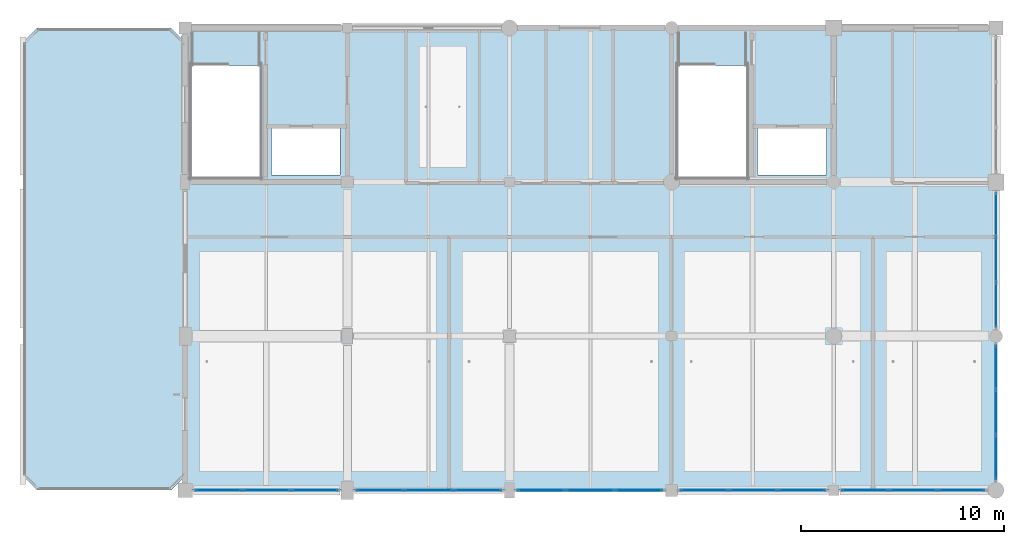
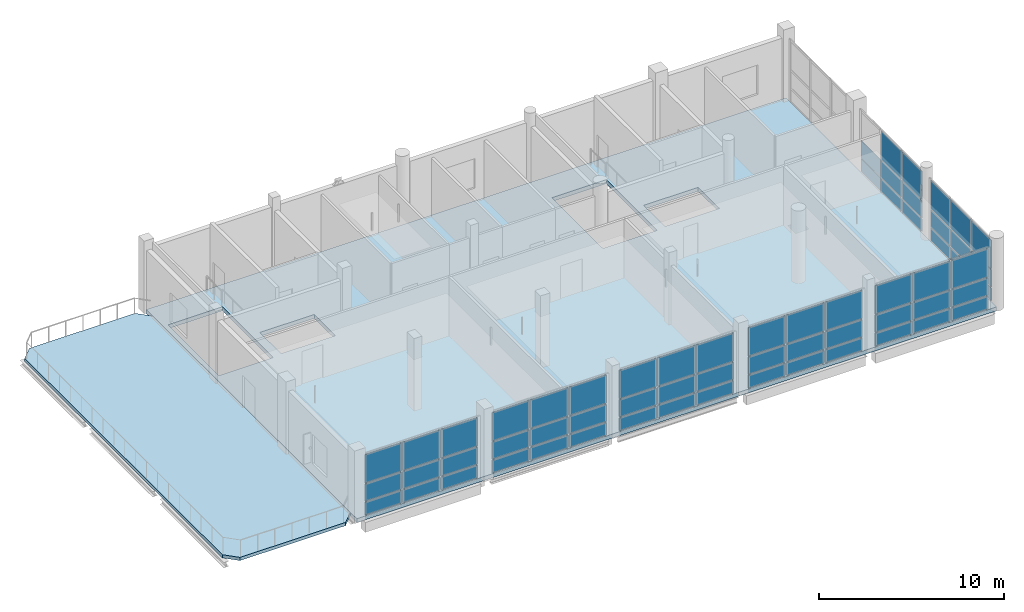
# One storey, part 10 of 18: 62 plates, 2 slabs, 7 elements without a shape of their own.
"""IFC4 building model written with IfcOpenShell, lengths in metres."""

from ifc_helpers import new_model, si_unit, direction, frame, origin, origin_2d, place, context, subcontext, project, spatial, polyline, rectangle, outline, extrude, material, layer, layer_set, type_object, element, aggregate, save


model = new_model("IFC4")

# Units and contexts
model_context = context("Model", 3, precision=1e-05, world=origin(), true_north=direction((0.0, 1.0)))
body_context = subcontext(model_context, "Body", "Model", "MODEL_VIEW")
ifc_project = project(units=[si_unit("LENGTHUNIT", "METRE"), si_unit("AREAUNIT", "SQUARE_METRE"), si_unit("VOLUMEUNIT", "CUBIC_METRE"), si_unit("PLANEANGLEUNIT", "RADIAN"), si_unit("MASSUNIT", "GRAM", prefix="KILO")], contexts=[model_context])

# Site, building, storey
site_placement = place(None, origin())
site = spatial("IfcSite", under=ifc_project, at=site_placement, CompositionType="ELEMENT")
building_placement = place(site_placement, origin())
building = spatial("IfcBuilding", under=site, at=building_placement, Name="Khelvaren Railside Concert Hall", CompositionType="ELEMENT")
storey_placement = place(building_placement, frame((0.0, 0.0, 24.60009765625)))
storey = spatial("IfcBuildingStorey", under=building, at=storey_placement, Name="L05", CompositionType="ELEMENT", Elevation=24.60009765625)

# Curtain wall, plates
ifc_material_1 = material(Name="Triple-glazed solar-control glass", Category="glass")
curtain_wall_type_1 = type_object("IfcCurtainWallType", Name="CW41", PredefinedType="USERDEFINED", material=ifc_material_1)
curtain_wall_1_placement = place(storey_placement, origin())
curtain_wall_1 = element("IfcCurtainWall", 1, at=curtain_wall_1_placement, inside=storey, type_object=curtain_wall_type_1, Name="Unitised Curtain Wall CW-V5-L05-E-91", ObjectType="UNITISED CURTAIN WALL", PredefinedType="USERDEFINED")
ifc_layer_1 = layer(ifc_material_1, 0.035888671875)
ifc_layer_set_1 = layer_set([ifc_layer_1], Name="Triple-glazed solar-control glass")
plate_type_1 = type_object("IfcPlateType", Name="CWP53", PredefinedType="CURTAIN_PANEL", material=ifc_layer_set_1)
plate_1_placement = place(storey_placement, frame((184.0, 97.261962890625, 0.074951171875), z_axis=(0.0, 0.0, 1.0), x_axis=(0.0, -1.0, 0.0)))
plate_1 = element("IfcPlate", 2, at=plate_1_placement, type_object=plate_type_1, Name="CW41 panel 1.1", PredefinedType="CURTAIN_PANEL", context=body_context, shape_type="SweptSolid", body=[
    extrude(rectangle(XDim=2.130859375, YDim=0.035888671875, at=origin_2d()), origin(), (0.0, 0.0, 1.0), 0.83740234375),
])
plate_2_placement = place(storey_placement, frame((184.0, 97.261962890625, 0.9873046875), z_axis=(0.0, 0.0, 1.0), x_axis=(0.0, -1.0, 0.0)))
plate_2 = element("IfcPlate", 3, at=plate_2_placement, type_object=plate_type_1, Name="CW41 panel 1.2", PredefinedType="CURTAIN_PANEL", context=body_context, shape_type="SweptSolid", body=[
    extrude(rectangle(XDim=2.130859375, YDim=0.035888671875, at=origin_2d()), origin(), (0.0, 0.0, 1.0), 1.127685546875),
])
plate_3_placement = place(storey_placement, frame((184.0, 97.261962890625, 2.18994140625), z_axis=(0.0, 0.0, 1.0), x_axis=(0.0, -1.0, 0.0)))
plate_3 = element("IfcPlate", 4, at=plate_3_placement, type_object=plate_type_1, Name="CW41 panel 1.3", PredefinedType="CURTAIN_PANEL", context=body_context, shape_type="SweptSolid", body=[
    extrude(rectangle(XDim=2.130859375, YDim=0.035888671875, at=origin_2d()), origin(), (0.0, 0.0, 1.0), 1.874755859375),
])
plate_4_placement = place(storey_placement, frame((184.0, 95.03759765625, 0.074951171875), z_axis=(0.0, 0.0, 1.0), x_axis=(0.0, -1.0, 0.0)))
plate_4 = element("IfcPlate", 5, at=plate_4_placement, type_object=plate_type_1, Name="CW41 panel 2.1", PredefinedType="CURTAIN_PANEL", context=body_context, shape_type="SweptSolid", body=[
    extrude(rectangle(XDim=2.168212890625, YDim=0.035888671875, at=origin_2d()), origin(), (0.0, 0.0, 1.0), 0.83740234375),
])
plate_5_placement = place(storey_placement, frame((184.0, 95.03759765625, 0.9873046875), z_axis=(0.0, 0.0, 1.0), x_axis=(0.0, -1.0, 0.0)))
plate_5 = element("IfcPlate", 6, at=plate_5_placement, type_object=plate_type_1, Name="CW41 panel 2.2", PredefinedType="CURTAIN_PANEL", context=body_context, shape_type="SweptSolid", body=[
    extrude(rectangle(XDim=2.168212890625, YDim=0.035888671875, at=origin_2d()), origin(), (0.0, 0.0, 1.0), 1.127685546875),
])
plate_6_placement = place(storey_placement, frame((184.0, 95.03759765625, 2.18994140625), z_axis=(0.0, 0.0, 1.0), x_axis=(0.0, -1.0, 0.0)))
plate_6 = element("IfcPlate", 7, at=plate_6_placement, type_object=plate_type_1, Name="CW41 panel 2.3", PredefinedType="CURTAIN_PANEL", context=body_context, shape_type="SweptSolid", body=[
    extrude(rectangle(XDim=2.168212890625, YDim=0.035888671875, at=origin_2d()), origin(), (0.0, 0.0, 1.0), 1.874755859375),
])
plate_7_placement = place(storey_placement, frame((184.0, 92.81298828125, 0.074951171875), z_axis=(0.0, 0.0, 1.0), x_axis=(0.0, -1.0, 0.0)))
plate_7 = element("IfcPlate", 8, at=plate_7_placement, type_object=plate_type_1, Name="CW41 panel 3.1", PredefinedType="CURTAIN_PANEL", context=body_context, shape_type="SweptSolid", body=[
    extrude(rectangle(XDim=2.130859375, YDim=0.035888671875, at=origin_2d()), origin(), (0.0, 0.0, 1.0), 0.83740234375),
])
plate_8_placement = place(storey_placement, frame((184.0, 92.81298828125, 0.9873046875), z_axis=(0.0, 0.0, 1.0), x_axis=(0.0, -1.0, 0.0)))
plate_8 = element("IfcPlate", 9, at=plate_8_placement, type_object=plate_type_1, Name="CW41 panel 3.2", PredefinedType="CURTAIN_PANEL", context=body_context, shape_type="SweptSolid", body=[
    extrude(rectangle(XDim=2.130859375, YDim=0.035888671875, at=origin_2d()), origin(), (0.0, 0.0, 1.0), 1.127685546875),
])
plate_9_placement = place(storey_placement, frame((184.0, 92.81298828125, 2.18994140625), z_axis=(0.0, 0.0, 1.0), x_axis=(0.0, -1.0, 0.0)))
plate_9 = element("IfcPlate", 10, at=plate_9_placement, type_object=plate_type_1, Name="CW41 panel 3.3", PredefinedType="CURTAIN_PANEL", context=body_context, shape_type="SweptSolid", body=[
    extrude(rectangle(XDim=2.130859375, YDim=0.035888671875, at=origin_2d()), origin(), (0.0, 0.0, 1.0), 1.874755859375),
])
aggregate(curtain_wall_1, [plate_1, plate_2, plate_3, plate_4, plate_5, plate_6, plate_7, plate_8, plate_9])

curtain_wall_type_2 = type_object("IfcCurtainWallType", Name="CW88", PredefinedType="USERDEFINED", material=ifc_material_1)
curtain_wall_2_placement = place(storey_placement, origin())
curtain_wall_2 = element("IfcCurtainWall", 11, at=curtain_wall_2_placement, inside=storey, type_object=curtain_wall_type_2, Name="Unitised Curtain Wall CW-V5-L05-E-99", ObjectType="UNITISED CURTAIN WALL", PredefinedType="USERDEFINED")
plate_10_placement = place(storey_placement, frame((184.0, 104.787109375, 0.074951171875), z_axis=(0.0, 0.0, 1.0), x_axis=(0.0, -1.0, 0.0)))
plate_10 = element("IfcPlate", 12, at=plate_10_placement, type_object=plate_type_1, Name="CW88 panel 1.1", PredefinedType="CURTAIN_PANEL", context=body_context, shape_type="SweptSolid", body=[
    extrude(rectangle(XDim=2.130859375, YDim=0.035888671875, at=origin_2d()), origin(), (0.0, 0.0, 1.0), 0.83740234375),
])
plate_11_placement = place(storey_placement, frame((184.0, 104.787109375, 0.9873046875), z_axis=(0.0, 0.0, 1.0), x_axis=(0.0, -1.0, 0.0)))
plate_11 = element("IfcPlate", 13, at=plate_11_placement, type_object=plate_type_1, Name="CW88 panel 1.2", PredefinedType="CURTAIN_PANEL", context=body_context, shape_type="SweptSolid", body=[
    extrude(rectangle(XDim=2.130859375, YDim=0.035888671875, at=origin_2d()), origin(), (0.0, 0.0, 1.0), 1.127685546875),
])
plate_12_placement = place(storey_placement, frame((184.0, 102.5625, 0.074951171875), z_axis=(0.0, 0.0, 1.0), x_axis=(0.0, -1.0, 0.0)))
plate_12 = element("IfcPlate", 14, at=plate_12_placement, type_object=plate_type_1, Name="CW88 panel 2.1", PredefinedType="CURTAIN_PANEL", context=body_context, shape_type="SweptSolid", body=[
    extrude(rectangle(XDim=2.168212890625, YDim=0.035888671875, at=origin_2d()), origin(), (0.0, 0.0, 1.0), 0.83740234375),
])
plate_13_placement = place(storey_placement, frame((184.0, 102.5625, 0.9873046875), z_axis=(0.0, 0.0, 1.0), x_axis=(0.0, -1.0, 0.0)))
plate_13 = element("IfcPlate", 15, at=plate_13_placement, type_object=plate_type_1, Name="CW88 panel 2.2", PredefinedType="CURTAIN_PANEL", context=body_context, shape_type="SweptSolid", body=[
    extrude(rectangle(XDim=2.168212890625, YDim=0.035888671875, at=origin_2d()), origin(), (0.0, 0.0, 1.0), 1.127685546875),
])
plate_14_placement = place(storey_placement, frame((184.0, 102.5625, 2.18994140625), z_axis=(0.0, 0.0, 1.0), x_axis=(0.0, -1.0, 0.0)))
plate_14 = element("IfcPlate", 16, at=plate_14_placement, type_object=plate_type_1, Name="CW88 panel 2.3", PredefinedType="CURTAIN_PANEL", context=body_context, shape_type="SweptSolid", body=[
    extrude(rectangle(XDim=2.168212890625, YDim=0.035888671875, at=origin_2d()), origin(), (0.0, 0.0, 1.0), 1.874755859375),
])
plate_15_placement = place(storey_placement, frame((184.0, 100.337890625, 0.074951171875), z_axis=(0.0, 0.0, 1.0), x_axis=(0.0, -1.0, 0.0)))
plate_15 = element("IfcPlate", 17, at=plate_15_placement, type_object=plate_type_1, Name="CW88 panel 3.1", PredefinedType="CURTAIN_PANEL", context=body_context, shape_type="SweptSolid", body=[
    extrude(rectangle(XDim=2.130859375, YDim=0.035888671875, at=origin_2d()), origin(), (0.0, 0.0, 1.0), 0.83740234375),
])
plate_16_placement = place(storey_placement, frame((184.0, 100.337890625, 0.9873046875), z_axis=(0.0, 0.0, 1.0), x_axis=(0.0, -1.0, 0.0)))
plate_16 = element("IfcPlate", 18, at=plate_16_placement, type_object=plate_type_1, Name="CW88 panel 3.2", PredefinedType="CURTAIN_PANEL", context=body_context, shape_type="SweptSolid", body=[
    extrude(rectangle(XDim=2.130859375, YDim=0.035888671875, at=origin_2d()), origin(), (0.0, 0.0, 1.0), 1.127685546875),
])
plate_17_placement = place(storey_placement, frame((184.0, 100.337890625, 2.18994140625), z_axis=(0.0, 0.0, 1.0), x_axis=(0.0, -1.0, 0.0)))
plate_17 = element("IfcPlate", 19, at=plate_17_placement, type_object=plate_type_1, Name="CW88 panel 3.3", PredefinedType="CURTAIN_PANEL", context=body_context, shape_type="SweptSolid", body=[
    extrude(rectangle(XDim=2.130859375, YDim=0.035888671875, at=origin_2d()), origin(), (0.0, 0.0, 1.0), 1.874755859375),
])
aggregate(curtain_wall_2, [plate_10, plate_11, plate_12, plate_13, plate_14, plate_15, plate_16, plate_17])

ifc_material_2 = material(Name="Acoustic laminated crystal facade glass", Category="glass")
curtain_wall_type_3 = type_object("IfcCurtainWallType", Name="CW54", PredefinedType="USERDEFINED", material=ifc_material_2)
curtain_wall_3_placement = place(storey_placement, origin())
curtain_wall_3 = element("IfcCurtainWall", 20, at=curtain_wall_3_placement, inside=storey, type_object=curtain_wall_type_3, Name="Unitised Curtain Wall CW-V5-L05-S-144", ObjectType="UNITISED CURTAIN WALL", PredefinedType="USERDEFINED")
ifc_layer_2 = layer(ifc_material_2, 0.0400390625)
ifc_layer_set_2 = layer_set([ifc_layer_2], Name="Acoustic laminated crystal facade glass")
plate_type_2 = type_object("IfcPlateType", Name="CWP77", PredefinedType="CURTAIN_PANEL", material=ifc_layer_set_2)
plate_18_placement = place(storey_placement, frame((150.402099609375, 91.199951171875, 0.0849609375), z_axis=(0.0, 0.0, 1.0), x_axis=(-1.0, 0.0, 0.0)))
plate_18 = element("IfcPlate", 21, at=plate_18_placement, type_object=plate_type_2, Name="CW54 panel 1.1", PredefinedType="CURTAIN_PANEL", context=body_context, shape_type="SweptSolid", body=[
    extrude(rectangle(XDim=2.270751953125, YDim=0.0400390625, at=origin_2d()), origin(), (0.0, 0.0, 1.0), 0.822509765625),
])
plate_19_placement = place(storey_placement, frame((150.402099609375, 91.199951171875, 0.9921875), z_axis=(0.0, 0.0, 1.0), x_axis=(-1.0, 0.0, 0.0)))
plate_19 = element("IfcPlate", 22, at=plate_19_placement, type_object=plate_type_2, Name="CW54 panel 1.2", PredefinedType="CURTAIN_PANEL", context=body_context, shape_type="SweptSolid", body=[
    extrude(rectangle(XDim=2.270751953125, YDim=0.0400390625, at=origin_2d()), origin(), (0.0, 0.0, 1.0), 1.117919921875),
])
plate_20_placement = place(storey_placement, frame((150.402099609375, 91.199951171875, 2.1953125), z_axis=(0.0, 0.0, 1.0), x_axis=(-1.0, 0.0, 0.0)))
plate_20 = element("IfcPlate", 23, at=plate_20_placement, type_object=plate_type_2, Name="CW54 panel 1.3", PredefinedType="CURTAIN_PANEL", context=body_context, shape_type="SweptSolid", body=[
    extrude(rectangle(XDim=2.270751953125, YDim=0.0400390625, at=origin_2d()), origin(), (0.0, 0.0, 1.0), 1.859619140625),
])
plate_21_placement = place(storey_placement, frame((148.02490234375, 91.199951171875, 0.0849609375), z_axis=(0.0, 0.0, 1.0), x_axis=(-1.0, 0.0, 0.0)))
plate_21 = element("IfcPlate", 24, at=plate_21_placement, type_object=plate_type_2, Name="CW54 panel 2.1", PredefinedType="CURTAIN_PANEL", context=body_context, shape_type="SweptSolid", body=[
    extrude(rectangle(XDim=2.313232421875, YDim=0.0400390625, at=origin_2d()), origin(), (0.0, 0.0, 1.0), 0.822509765625),
])
plate_22_placement = place(storey_placement, frame((148.02490234375, 91.199951171875, 0.9921875), z_axis=(0.0, 0.0, 1.0), x_axis=(-1.0, 0.0, 0.0)))
plate_22 = element("IfcPlate", 25, at=plate_22_placement, type_object=plate_type_2, Name="CW54 panel 2.2", PredefinedType="CURTAIN_PANEL", context=body_context, shape_type="SweptSolid", body=[
    extrude(rectangle(XDim=2.313232421875, YDim=0.0400390625, at=origin_2d()), origin(), (0.0, 0.0, 1.0), 1.117919921875),
])
plate_23_placement = place(storey_placement, frame((148.02490234375, 91.199951171875, 2.1953125), z_axis=(0.0, 0.0, 1.0), x_axis=(-1.0, 0.0, 0.0)))
plate_23 = element("IfcPlate", 26, at=plate_23_placement, type_object=plate_type_2, Name="CW54 panel 2.3", PredefinedType="CURTAIN_PANEL", context=body_context, shape_type="SweptSolid", body=[
    extrude(rectangle(XDim=2.313232421875, YDim=0.0400390625, at=origin_2d()), origin(), (0.0, 0.0, 1.0), 1.859619140625),
])
plate_24_placement = place(storey_placement, frame((145.64794921875, 91.199951171875, 0.0849609375), z_axis=(0.0, 0.0, 1.0), x_axis=(-1.0, 0.0, 0.0)))
plate_24 = element("IfcPlate", 27, at=plate_24_placement, type_object=plate_type_2, Name="CW54 panel 3.1", PredefinedType="CURTAIN_PANEL", context=body_context, shape_type="SweptSolid", body=[
    extrude(rectangle(XDim=2.270751953125, YDim=0.0400390625, at=origin_2d()), origin(), (0.0, 0.0, 1.0), 0.822509765625),
])
plate_25_placement = place(storey_placement, frame((145.64794921875, 91.199951171875, 0.9921875), z_axis=(0.0, 0.0, 1.0), x_axis=(-1.0, 0.0, 0.0)))
plate_25 = element("IfcPlate", 28, at=plate_25_placement, type_object=plate_type_2, Name="CW54 panel 3.2", PredefinedType="CURTAIN_PANEL", context=body_context, shape_type="SweptSolid", body=[
    extrude(rectangle(XDim=2.270751953125, YDim=0.0400390625, at=origin_2d()), origin(), (0.0, 0.0, 1.0), 1.117919921875),
])
plate_26_placement = place(storey_placement, frame((145.64794921875, 91.199951171875, 2.1953125), z_axis=(0.0, 0.0, 1.0), x_axis=(-1.0, 0.0, 0.0)))
plate_26 = element("IfcPlate", 29, at=plate_26_placement, type_object=plate_type_2, Name="CW54 panel 3.3", PredefinedType="CURTAIN_PANEL", context=body_context, shape_type="SweptSolid", body=[
    extrude(rectangle(XDim=2.270751953125, YDim=0.0400390625, at=origin_2d()), origin(), (0.0, 0.0, 1.0), 1.859619140625),
])
aggregate(curtain_wall_3, [plate_18, plate_19, plate_20, plate_21, plate_22, plate_23, plate_24, plate_25, plate_26])

curtain_wall_type_4 = type_object("IfcCurtainWallType", Name="CW66", PredefinedType="USERDEFINED", material=ifc_material_2)
curtain_wall_4_placement = place(storey_placement, origin())
curtain_wall_4 = element("IfcCurtainWall", 30, at=curtain_wall_4_placement, inside=storey, type_object=curtain_wall_type_4, Name="Unitised Curtain Wall CW-V5-L05-S-152", ObjectType="UNITISED CURTAIN WALL", PredefinedType="USERDEFINED")
plate_27_placement = place(storey_placement, frame((158.435302734375, 91.199951171875, 0.0849609375), z_axis=(0.0, 0.0, 1.0), x_axis=(-1.0, 0.0, 0.0)))
plate_27 = element("IfcPlate", 31, at=plate_27_placement, type_object=plate_type_2, Name="CW66 panel 1.1", PredefinedType="CURTAIN_PANEL", context=body_context, shape_type="SweptSolid", body=[
    extrude(rectangle(XDim=2.30419921875, YDim=0.0400390625, at=origin_2d()), origin(), (0.0, 0.0, 1.0), 0.822509765625),
])
plate_28_placement = place(storey_placement, frame((158.435302734375, 91.199951171875, 0.9921875), z_axis=(0.0, 0.0, 1.0), x_axis=(-1.0, 0.0, 0.0)))
plate_28 = element("IfcPlate", 32, at=plate_28_placement, type_object=plate_type_2, Name="CW66 panel 1.2", PredefinedType="CURTAIN_PANEL", context=body_context, shape_type="SweptSolid", body=[
    extrude(rectangle(XDim=2.30419921875, YDim=0.0400390625, at=origin_2d()), origin(), (0.0, 0.0, 1.0), 1.117919921875),
])
plate_29_placement = place(storey_placement, frame((158.435302734375, 91.199951171875, 2.1953125), z_axis=(0.0, 0.0, 1.0), x_axis=(-1.0, 0.0, 0.0)))
plate_29 = element("IfcPlate", 33, at=plate_29_placement, type_object=plate_type_2, Name="CW66 panel 1.3", PredefinedType="CURTAIN_PANEL", context=body_context, shape_type="SweptSolid", body=[
    extrude(rectangle(XDim=2.30419921875, YDim=0.0400390625, at=origin_2d()), origin(), (0.0, 0.0, 1.0), 1.859619140625),
])
plate_30_placement = place(storey_placement, frame((156.02490234375, 91.199951171875, 0.0849609375), z_axis=(0.0, 0.0, 1.0), x_axis=(-1.0, 0.0, 0.0)))
plate_30 = element("IfcPlate", 34, at=plate_30_placement, type_object=plate_type_2, Name="CW66 panel 2.1", PredefinedType="CURTAIN_PANEL", context=body_context, shape_type="SweptSolid", body=[
    extrude(rectangle(XDim=2.3466796875, YDim=0.0400390625, at=origin_2d()), origin(), (0.0, 0.0, 1.0), 0.822509765625),
])
plate_31_placement = place(storey_placement, frame((156.02490234375, 91.199951171875, 0.9921875), z_axis=(0.0, 0.0, 1.0), x_axis=(-1.0, 0.0, 0.0)))
plate_31 = element("IfcPlate", 35, at=plate_31_placement, type_object=plate_type_2, Name="CW66 panel 2.2", PredefinedType="CURTAIN_PANEL", context=body_context, shape_type="SweptSolid", body=[
    extrude(rectangle(XDim=2.3466796875, YDim=0.0400390625, at=origin_2d()), origin(), (0.0, 0.0, 1.0), 1.117919921875),
])
plate_32_placement = place(storey_placement, frame((156.02490234375, 91.199951171875, 2.1953125), z_axis=(0.0, 0.0, 1.0), x_axis=(-1.0, 0.0, 0.0)))
plate_32 = element("IfcPlate", 36, at=plate_32_placement, type_object=plate_type_2, Name="CW66 panel 2.3", PredefinedType="CURTAIN_PANEL", context=body_context, shape_type="SweptSolid", body=[
    extrude(rectangle(XDim=2.3466796875, YDim=0.0400390625, at=origin_2d()), origin(), (0.0, 0.0, 1.0), 1.859619140625),
])
plate_33_placement = place(storey_placement, frame((153.614501953125, 91.199951171875, 0.0849609375), z_axis=(0.0, 0.0, 1.0), x_axis=(-1.0, 0.0, 0.0)))
plate_33 = element("IfcPlate", 37, at=plate_33_placement, type_object=plate_type_2, Name="CW66 panel 3.1", PredefinedType="CURTAIN_PANEL", context=body_context, shape_type="SweptSolid", body=[
    extrude(rectangle(XDim=2.30419921875, YDim=0.0400390625, at=origin_2d()), origin(), (0.0, 0.0, 1.0), 0.822509765625),
])
plate_34_placement = place(storey_placement, frame((153.614501953125, 91.199951171875, 0.9921875), z_axis=(0.0, 0.0, 1.0), x_axis=(-1.0, 0.0, 0.0)))
plate_34 = element("IfcPlate", 38, at=plate_34_placement, type_object=plate_type_2, Name="CW66 panel 3.2", PredefinedType="CURTAIN_PANEL", context=body_context, shape_type="SweptSolid", body=[
    extrude(rectangle(XDim=2.30419921875, YDim=0.0400390625, at=origin_2d()), origin(), (0.0, 0.0, 1.0), 1.117919921875),
])
plate_35_placement = place(storey_placement, frame((153.614501953125, 91.199951171875, 2.1953125), z_axis=(0.0, 0.0, 1.0), x_axis=(-1.0, 0.0, 0.0)))
plate_35 = element("IfcPlate", 39, at=plate_35_placement, type_object=plate_type_2, Name="CW66 panel 3.3", PredefinedType="CURTAIN_PANEL", context=body_context, shape_type="SweptSolid", body=[
    extrude(rectangle(XDim=2.30419921875, YDim=0.0400390625, at=origin_2d()), origin(), (0.0, 0.0, 1.0), 1.859619140625),
])
aggregate(curtain_wall_4, [plate_27, plate_28, plate_29, plate_30, plate_31, plate_32, plate_33, plate_34, plate_35])

curtain_wall_type_5 = type_object("IfcCurtainWallType", Name="CW21", PredefinedType="USERDEFINED", material=ifc_material_2)
curtain_wall_5_placement = place(storey_placement, origin())
curtain_wall_5 = element("IfcCurtainWall", 40, at=curtain_wall_5_placement, inside=storey, type_object=curtain_wall_type_5, Name="Unitised Curtain Wall CW-V5-L05-S-160", ObjectType="UNITISED CURTAIN WALL", PredefinedType="USERDEFINED")
plate_36_placement = place(storey_placement, frame((166.385498046875, 91.199951171875, 0.0849609375), z_axis=(0.0, 0.0, 1.0), x_axis=(-1.0, 0.0, 0.0)))
plate_36 = element("IfcPlate", 41, at=plate_36_placement, type_object=plate_type_2, Name="CW21 panel 1.1", PredefinedType="CURTAIN_PANEL", context=body_context, shape_type="SweptSolid", body=[
    extrude(rectangle(XDim=2.30419921875, YDim=0.0400390625, at=origin_2d()), origin(), (0.0, 0.0, 1.0), 0.822509765625),
])
plate_37_placement = place(storey_placement, frame((166.385498046875, 91.199951171875, 0.9921875), z_axis=(0.0, 0.0, 1.0), x_axis=(-1.0, 0.0, 0.0)))
plate_37 = element("IfcPlate", 42, at=plate_37_placement, type_object=plate_type_2, Name="CW21 panel 1.2", PredefinedType="CURTAIN_PANEL", context=body_context, shape_type="SweptSolid", body=[
    extrude(rectangle(XDim=2.30419921875, YDim=0.0400390625, at=origin_2d()), origin(), (0.0, 0.0, 1.0), 1.117919921875),
])
plate_38_placement = place(storey_placement, frame((166.385498046875, 91.199951171875, 2.1953125), z_axis=(0.0, 0.0, 1.0), x_axis=(-1.0, 0.0, 0.0)))
plate_38 = element("IfcPlate", 43, at=plate_38_placement, type_object=plate_type_2, Name="CW21 panel 1.3", PredefinedType="CURTAIN_PANEL", context=body_context, shape_type="SweptSolid", body=[
    extrude(rectangle(XDim=2.30419921875, YDim=0.0400390625, at=origin_2d()), origin(), (0.0, 0.0, 1.0), 1.859619140625),
])
plate_39_placement = place(storey_placement, frame((163.97509765625, 91.199951171875, 0.0849609375), z_axis=(0.0, 0.0, 1.0), x_axis=(-1.0, 0.0, 0.0)))
plate_39 = element("IfcPlate", 44, at=plate_39_placement, type_object=plate_type_2, Name="CW21 panel 2.1", PredefinedType="CURTAIN_PANEL", context=body_context, shape_type="SweptSolid", body=[
    extrude(rectangle(XDim=2.3466796875, YDim=0.0400390625, at=origin_2d()), origin(), (0.0, 0.0, 1.0), 0.822509765625),
])
plate_40_placement = place(storey_placement, frame((163.97509765625, 91.199951171875, 0.9921875), z_axis=(0.0, 0.0, 1.0), x_axis=(-1.0, 0.0, 0.0)))
plate_40 = element("IfcPlate", 45, at=plate_40_placement, type_object=plate_type_2, Name="CW21 panel 2.2", PredefinedType="CURTAIN_PANEL", context=body_context, shape_type="SweptSolid", body=[
    extrude(rectangle(XDim=2.3466796875, YDim=0.0400390625, at=origin_2d()), origin(), (0.0, 0.0, 1.0), 1.117919921875),
])
plate_41_placement = place(storey_placement, frame((163.97509765625, 91.199951171875, 2.1953125), z_axis=(0.0, 0.0, 1.0), x_axis=(-1.0, 0.0, 0.0)))
plate_41 = element("IfcPlate", 46, at=plate_41_placement, type_object=plate_type_2, Name="CW21 panel 2.3", PredefinedType="CURTAIN_PANEL", context=body_context, shape_type="SweptSolid", body=[
    extrude(rectangle(XDim=2.3466796875, YDim=0.0400390625, at=origin_2d()), origin(), (0.0, 0.0, 1.0), 1.859619140625),
])
plate_42_placement = place(storey_placement, frame((161.564697265625, 91.199951171875, 0.0849609375), z_axis=(0.0, 0.0, 1.0), x_axis=(-1.0, 0.0, 0.0)))
plate_42 = element("IfcPlate", 47, at=plate_42_placement, type_object=plate_type_2, Name="CW21 panel 3.1", PredefinedType="CURTAIN_PANEL", context=body_context, shape_type="SweptSolid", body=[
    extrude(rectangle(XDim=2.30419921875, YDim=0.0400390625, at=origin_2d()), origin(), (0.0, 0.0, 1.0), 0.822509765625),
])
plate_43_placement = place(storey_placement, frame((161.564697265625, 91.199951171875, 0.9921875), z_axis=(0.0, 0.0, 1.0), x_axis=(-1.0, 0.0, 0.0)))
plate_43 = element("IfcPlate", 48, at=plate_43_placement, type_object=plate_type_2, Name="CW21 panel 3.2", PredefinedType="CURTAIN_PANEL", context=body_context, shape_type="SweptSolid", body=[
    extrude(rectangle(XDim=2.30419921875, YDim=0.0400390625, at=origin_2d()), origin(), (0.0, 0.0, 1.0), 1.117919921875),
])
plate_44_placement = place(storey_placement, frame((161.564697265625, 91.199951171875, 2.1953125), z_axis=(0.0, 0.0, 1.0), x_axis=(-1.0, 0.0, 0.0)))
plate_44 = element("IfcPlate", 49, at=plate_44_placement, type_object=plate_type_2, Name="CW21 panel 3.3", PredefinedType="CURTAIN_PANEL", context=body_context, shape_type="SweptSolid", body=[
    extrude(rectangle(XDim=2.30419921875, YDim=0.0400390625, at=origin_2d()), origin(), (0.0, 0.0, 1.0), 1.859619140625),
])
aggregate(curtain_wall_5, [plate_36, plate_37, plate_38, plate_39, plate_40, plate_41, plate_42, plate_43, plate_44])

curtain_wall_type_6 = type_object("IfcCurtainWallType", Name="CW15", PredefinedType="USERDEFINED", material=ifc_material_2)
curtain_wall_6_placement = place(storey_placement, origin())
curtain_wall_6 = element("IfcCurtainWall", 50, at=curtain_wall_6_placement, inside=storey, type_object=curtain_wall_type_6, Name="Unitised Curtain Wall CW-V5-L05-S-168", ObjectType="UNITISED CURTAIN WALL", PredefinedType="USERDEFINED")
plate_45_placement = place(storey_placement, frame((174.435302734375, 91.199951171875, 0.0849609375), z_axis=(0.0, 0.0, 1.0), x_axis=(-1.0, 0.0, 0.0)))
plate_45 = element("IfcPlate", 51, at=plate_45_placement, type_object=plate_type_2, Name="CW15 panel 1.1", PredefinedType="CURTAIN_PANEL", context=body_context, shape_type="SweptSolid", body=[
    extrude(rectangle(XDim=2.30419921875, YDim=0.0400390625, at=origin_2d()), origin(), (0.0, 0.0, 1.0), 0.822509765625),
])
plate_46_placement = place(storey_placement, frame((174.435302734375, 91.199951171875, 0.9921875), z_axis=(0.0, 0.0, 1.0), x_axis=(-1.0, 0.0, 0.0)))
plate_46 = element("IfcPlate", 52, at=plate_46_placement, type_object=plate_type_2, Name="CW15 panel 1.2", PredefinedType="CURTAIN_PANEL", context=body_context, shape_type="SweptSolid", body=[
    extrude(rectangle(XDim=2.30419921875, YDim=0.0400390625, at=origin_2d()), origin(), (0.0, 0.0, 1.0), 1.117919921875),
])
plate_47_placement = place(storey_placement, frame((174.435302734375, 91.199951171875, 2.1953125), z_axis=(0.0, 0.0, 1.0), x_axis=(-1.0, 0.0, 0.0)))
plate_47 = element("IfcPlate", 53, at=plate_47_placement, type_object=plate_type_2, Name="CW15 panel 1.3", PredefinedType="CURTAIN_PANEL", context=body_context, shape_type="SweptSolid", body=[
    extrude(rectangle(XDim=2.30419921875, YDim=0.0400390625, at=origin_2d()), origin(), (0.0, 0.0, 1.0), 1.859619140625),
])
plate_48_placement = place(storey_placement, frame((172.02490234375, 91.199951171875, 0.0849609375), z_axis=(0.0, 0.0, 1.0), x_axis=(-1.0, 0.0, 0.0)))
plate_48 = element("IfcPlate", 54, at=plate_48_placement, type_object=plate_type_2, Name="CW15 panel 2.1", PredefinedType="CURTAIN_PANEL", context=body_context, shape_type="SweptSolid", body=[
    extrude(rectangle(XDim=2.3466796875, YDim=0.0400390625, at=origin_2d()), origin(), (0.0, 0.0, 1.0), 0.822509765625),
])
plate_49_placement = place(storey_placement, frame((172.02490234375, 91.199951171875, 0.9921875), z_axis=(0.0, 0.0, 1.0), x_axis=(-1.0, 0.0, 0.0)))
plate_49 = element("IfcPlate", 55, at=plate_49_placement, type_object=plate_type_2, Name="CW15 panel 2.2", PredefinedType="CURTAIN_PANEL", context=body_context, shape_type="SweptSolid", body=[
    extrude(rectangle(XDim=2.3466796875, YDim=0.0400390625, at=origin_2d()), origin(), (0.0, 0.0, 1.0), 1.117919921875),
])
plate_50_placement = place(storey_placement, frame((172.02490234375, 91.199951171875, 2.1953125), z_axis=(0.0, 0.0, 1.0), x_axis=(-1.0, 0.0, 0.0)))
plate_50 = element("IfcPlate", 56, at=plate_50_placement, type_object=plate_type_2, Name="CW15 panel 2.3", PredefinedType="CURTAIN_PANEL", context=body_context, shape_type="SweptSolid", body=[
    extrude(rectangle(XDim=2.3466796875, YDim=0.0400390625, at=origin_2d()), origin(), (0.0, 0.0, 1.0), 1.859619140625),
])
plate_51_placement = place(storey_placement, frame((169.614501953125, 91.199951171875, 0.0849609375), z_axis=(0.0, 0.0, 1.0), x_axis=(-1.0, 0.0, 0.0)))
plate_51 = element("IfcPlate", 57, at=plate_51_placement, type_object=plate_type_2, Name="CW15 panel 3.1", PredefinedType="CURTAIN_PANEL", context=body_context, shape_type="SweptSolid", body=[
    extrude(rectangle(XDim=2.30419921875, YDim=0.0400390625, at=origin_2d()), origin(), (0.0, 0.0, 1.0), 0.822509765625),
])
plate_52_placement = place(storey_placement, frame((169.614501953125, 91.199951171875, 0.9921875), z_axis=(0.0, 0.0, 1.0), x_axis=(-1.0, 0.0, 0.0)))
plate_52 = element("IfcPlate", 58, at=plate_52_placement, type_object=plate_type_2, Name="CW15 panel 3.2", PredefinedType="CURTAIN_PANEL", context=body_context, shape_type="SweptSolid", body=[
    extrude(rectangle(XDim=2.30419921875, YDim=0.0400390625, at=origin_2d()), origin(), (0.0, 0.0, 1.0), 1.117919921875),
])
plate_53_placement = place(storey_placement, frame((169.614501953125, 91.199951171875, 2.1953125), z_axis=(0.0, 0.0, 1.0), x_axis=(-1.0, 0.0, 0.0)))
plate_53 = element("IfcPlate", 59, at=plate_53_placement, type_object=plate_type_2, Name="CW15 panel 3.3", PredefinedType="CURTAIN_PANEL", context=body_context, shape_type="SweptSolid", body=[
    extrude(rectangle(XDim=2.30419921875, YDim=0.0400390625, at=origin_2d()), origin(), (0.0, 0.0, 1.0), 1.859619140625),
])
aggregate(curtain_wall_6, [plate_45, plate_46, plate_47, plate_48, plate_49, plate_50, plate_51, plate_52, plate_53])

curtain_wall_7_placement = place(storey_placement, origin())
curtain_wall_7 = element("IfcCurtainWall", 60, at=curtain_wall_7_placement, inside=storey, type_object=curtain_wall_type_3, Name="Unitised Curtain Wall CW-V5-L05-S-176", ObjectType="UNITISED CURTAIN WALL", PredefinedType="USERDEFINED")
plate_54_placement = place(storey_placement, frame((182.302001953125, 91.199951171875, 0.0849609375), z_axis=(0.0, 0.0, 1.0), x_axis=(-1.0, 0.0, 0.0)))
plate_54 = element("IfcPlate", 61, at=plate_54_placement, type_object=plate_type_2, Name="CW54 panel 1.1", PredefinedType="CURTAIN_PANEL", context=body_context, shape_type="SweptSolid", body=[
    extrude(rectangle(XDim=2.270751953125, YDim=0.0400390625, at=origin_2d()), origin(), (0.0, 0.0, 1.0), 0.822509765625),
])
plate_55_placement = place(storey_placement, frame((182.302001953125, 91.199951171875, 0.9921875), z_axis=(0.0, 0.0, 1.0), x_axis=(-1.0, 0.0, 0.0)))
plate_55 = element("IfcPlate", 62, at=plate_55_placement, type_object=plate_type_2, Name="CW54 panel 1.2", PredefinedType="CURTAIN_PANEL", context=body_context, shape_type="SweptSolid", body=[
    extrude(rectangle(XDim=2.270751953125, YDim=0.0400390625, at=origin_2d()), origin(), (0.0, 0.0, 1.0), 1.117919921875),
])
plate_56_placement = place(storey_placement, frame((182.302001953125, 91.199951171875, 2.1953125), z_axis=(0.0, 0.0, 1.0), x_axis=(-1.0, 0.0, 0.0)))
plate_56 = element("IfcPlate", 63, at=plate_56_placement, type_object=plate_type_2, Name="CW54 panel 1.3", PredefinedType="CURTAIN_PANEL", context=body_context, shape_type="SweptSolid", body=[
    extrude(rectangle(XDim=2.270751953125, YDim=0.0400390625, at=origin_2d()), origin(), (0.0, 0.0, 1.0), 1.859619140625),
])
plate_57_placement = place(storey_placement, frame((179.925048828125, 91.199951171875, 0.0849609375), z_axis=(0.0, 0.0, 1.0), x_axis=(-1.0, 0.0, 0.0)))
plate_57 = element("IfcPlate", 64, at=plate_57_placement, type_object=plate_type_2, Name="CW54 panel 2.1", PredefinedType="CURTAIN_PANEL", context=body_context, shape_type="SweptSolid", body=[
    extrude(rectangle(XDim=2.313232421875, YDim=0.0400390625, at=origin_2d()), origin(), (0.0, 0.0, 1.0), 0.822509765625),
])
plate_58_placement = place(storey_placement, frame((179.925048828125, 91.199951171875, 0.9921875), z_axis=(0.0, 0.0, 1.0), x_axis=(-1.0, 0.0, 0.0)))
plate_58 = element("IfcPlate", 65, at=plate_58_placement, type_object=plate_type_2, Name="CW54 panel 2.2", PredefinedType="CURTAIN_PANEL", context=body_context, shape_type="SweptSolid", body=[
    extrude(rectangle(XDim=2.313232421875, YDim=0.0400390625, at=origin_2d()), origin(), (0.0, 0.0, 1.0), 1.117919921875),
])
plate_59_placement = place(storey_placement, frame((179.925048828125, 91.199951171875, 2.1953125), z_axis=(0.0, 0.0, 1.0), x_axis=(-1.0, 0.0, 0.0)))
plate_59 = element("IfcPlate", 66, at=plate_59_placement, type_object=plate_type_2, Name="CW54 panel 2.3", PredefinedType="CURTAIN_PANEL", context=body_context, shape_type="SweptSolid", body=[
    extrude(rectangle(XDim=2.313232421875, YDim=0.0400390625, at=origin_2d()), origin(), (0.0, 0.0, 1.0), 1.859619140625),
])
plate_60_placement = place(storey_placement, frame((177.5478515625, 91.199951171875, 0.0849609375), z_axis=(0.0, 0.0, 1.0), x_axis=(-1.0, 0.0, 0.0)))
plate_60 = element("IfcPlate", 67, at=plate_60_placement, type_object=plate_type_2, Name="CW54 panel 3.1", PredefinedType="CURTAIN_PANEL", context=body_context, shape_type="SweptSolid", body=[
    extrude(rectangle(XDim=2.270751953125, YDim=0.0400390625, at=origin_2d()), origin(), (0.0, 0.0, 1.0), 0.822509765625),
])
plate_61_placement = place(storey_placement, frame((177.5478515625, 91.199951171875, 0.9921875), z_axis=(0.0, 0.0, 1.0), x_axis=(-1.0, 0.0, 0.0)))
plate_61 = element("IfcPlate", 68, at=plate_61_placement, type_object=plate_type_2, Name="CW54 panel 3.2", PredefinedType="CURTAIN_PANEL", context=body_context, shape_type="SweptSolid", body=[
    extrude(rectangle(XDim=2.270751953125, YDim=0.0400390625, at=origin_2d()), origin(), (0.0, 0.0, 1.0), 1.117919921875),
])
plate_62_placement = place(storey_placement, frame((177.5478515625, 91.199951171875, 2.1953125), z_axis=(0.0, 0.0, 1.0), x_axis=(-1.0, 0.0, 0.0)))
plate_62 = element("IfcPlate", 69, at=plate_62_placement, type_object=plate_type_2, Name="CW54 panel 3.3", PredefinedType="CURTAIN_PANEL", context=body_context, shape_type="SweptSolid", body=[
    extrude(rectangle(XDim=2.270751953125, YDim=0.0400390625, at=origin_2d()), origin(), (0.0, 0.0, 1.0), 1.859619140625),
])
aggregate(curtain_wall_7, [plate_54, plate_55, plate_56, plate_57, plate_58, plate_59, plate_60, plate_61, plate_62])

# Slabs
ifc_material_3 = material(Name="Concrete C40/50", Category="concrete")
ifc_layer_3 = layer(ifc_material_3, 0.260009765625)
ifc_layer_set_3 = layer_set([ifc_layer_3], Name="Concrete C40/50")
slab_type_1 = type_object("IfcSlabType", Name="FS52", PredefinedType="FLOOR", material=ifc_layer_set_3)
slab_1_placement = place(storey_placement, frame((0.0, 0.0, -0.260009765625)))
element("IfcSlab", 70, at=slab_1_placement, inside=storey, type_object=slab_type_1, Name="V5 L05 Structural Floor Slab", PredefinedType="FLOOR", context=body_context, shape_type="SweptSolid", body=[
    extrude(outline(polyline([(144.0, 91.199951171875), (184.0, 91.199951171875), (184.0, 114.0), (144.0, 114.0), (144.0, 91.199951171875)]), holes=[polyline([(144.300048828125, 112.159912109375), (144.300048828125, 106.639892578125), (147.699951171875, 106.639892578125), (147.699951171875, 112.159912109375), (144.300048828125, 112.159912109375)]), polyline([(148.25, 106.75), (151.64990234375, 106.75), (151.64990234375, 109.050048828125), (148.25, 109.050048828125), (148.25, 106.75)]), polyline([(168.300048828125, 112.159912109375), (168.300048828125, 106.639892578125), (171.699951171875, 106.639892578125), (171.699951171875, 112.159912109375), (168.300048828125, 112.159912109375)]), polyline([(172.25, 106.75), (175.64990234375, 106.75), (175.64990234375, 109.050048828125), (172.25, 109.050048828125), (172.25, 106.75)])]), origin(), (0.0, 0.0, 1.0), 0.260009765625),
])
ifc_layer_4 = layer(ifc_material_3, 0.2099609375)
ifc_layer_set_4 = layer_set([ifc_layer_4], Name="Concrete C40/50")
slab_type_2 = type_object("IfcSlabType", Name="FS72", PredefinedType="FLOOR", material=ifc_layer_set_4)
slab_2_placement = place(storey_placement, frame((0.0, 0.0, -0.210205078125)))
element("IfcSlab", 71, at=slab_2_placement, inside=storey, type_object=slab_type_2, Name="V5 L05 Outdoor Promenade Terrace Slab", PredefinedType="FLOOR", context=body_context, shape_type="SweptSolid", body=[
    extrude(outline(polyline([(136.699951171875, 91.199951171875), (143.300048828125, 91.199951171875), (144.0, 91.89990234375), (144.0, 113.300048828125), (143.300048828125, 114.0), (136.699951171875, 114.0), (136.0, 113.300048828125), (136.0, 91.89990234375), (136.699951171875, 91.199951171875)])), origin(), (0.0, 0.0, 1.0), 0.210205078125),
])

save(model, "model.ifc")
